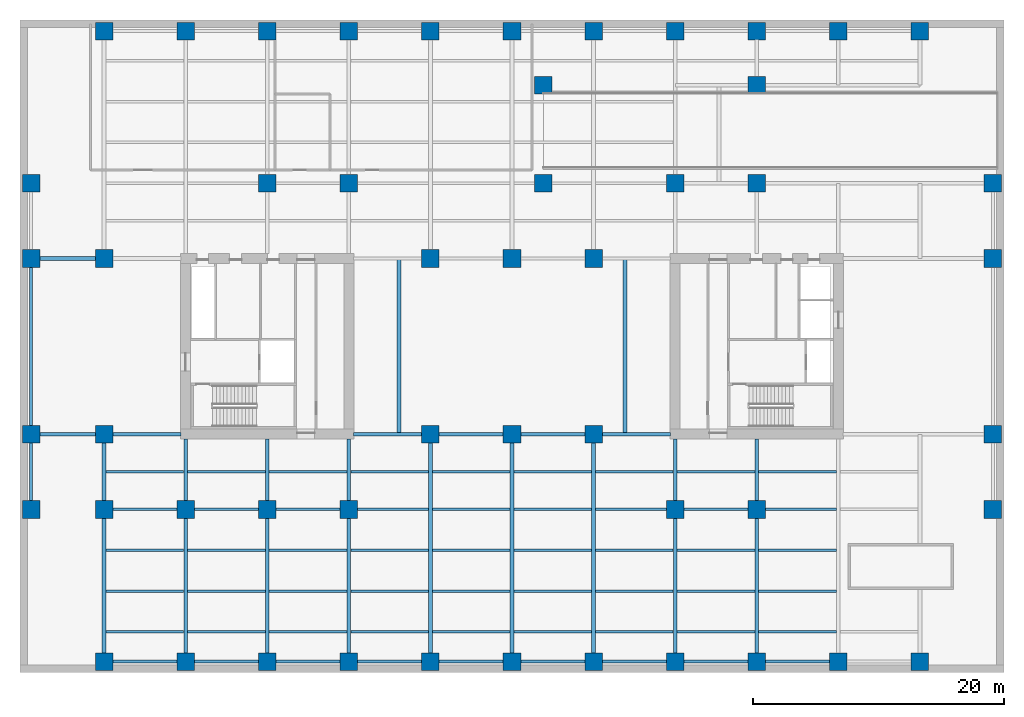
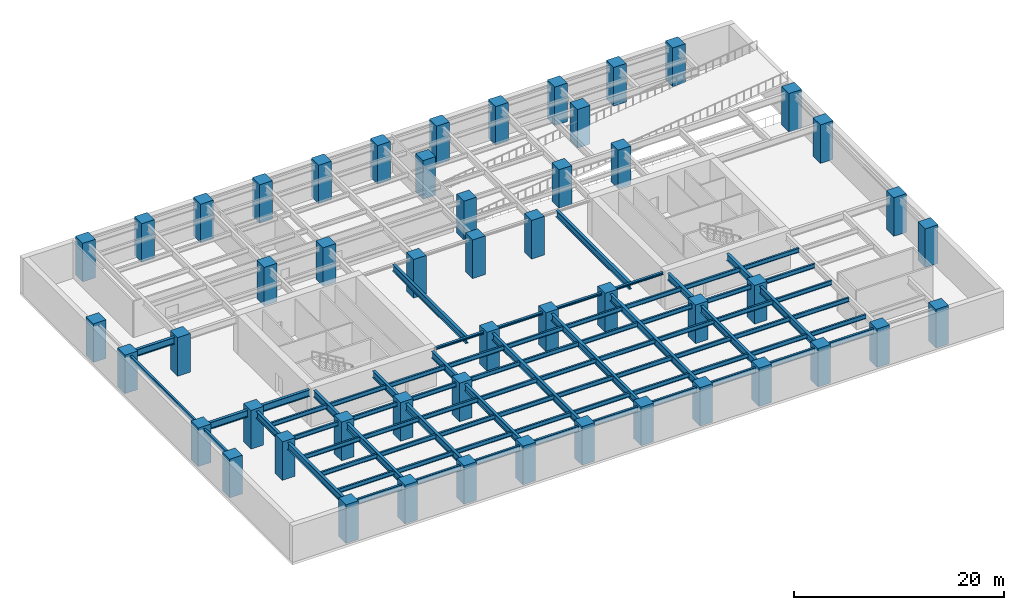
# One storey, part 1 of 10: 80 beams, 51 columns.
"""IFC4 building model written with IfcOpenShell, lengths in metres."""

import ifcopenshell
import ifcopenshell.guid

model = None  # the IFC model being written
_history = None  # IfcOwnerHistory: only IFC2X3 demands one
_inside = {}  # id of a spatial element -> (the spatial element, [elements in it])
_under = {}  # id of a project, library or spatial element -> (it, [spatial elements below it])
_declared = {}  # id of a project -> (the project, [libraries it declares])
_typed = {}  # id of a type object -> (the type object, [elements of that type])
_made_of = {}  # id of a material, layer set ... -> (it, [elements and type objects made of it])


def new_model(schema):
    """Start an empty IFC model of exactly this schema.

    Asked for "IFC4X3", IfcOpenShell would pick the latest addendum, in which some entities
    have other attributes; the version numbers below select the first issue.
    IFC2X3 requires an IfcOwnerHistory on every rooted entity: one is made here for all.
    """
    global model, _history
    if schema == "IFC4X3":
        model = ifcopenshell.file(schema_version=(4, 3, 0, 0))
    else:
        model = ifcopenshell.file(schema=schema)
    _inside.clear()
    _under.clear()
    _declared.clear()
    _typed.clear()
    _made_of.clear()
    _history = None
    if model.schema == "IFC2X3":
        org = make("IfcOrganization", Name="unknown")
        user = make(
            "IfcPersonAndOrganization",
            ThePerson=make("IfcPerson", FamilyName="unknown"),
            TheOrganization=org,
        )
        app = make(
            "IfcApplication",
            ApplicationDeveloper=org,
            Version="unknown",
            ApplicationFullName="unknown",
            ApplicationIdentifier="unknown",
        )
        _history = make(
            "IfcOwnerHistory",
            OwningUser=user,
            OwningApplication=app,
            ChangeAction="ADDED",
            CreationDate=0,
        )
    return model


def make(cls, **values):
    """One entity of the class cls with the attributes given. An attribute that is None is left unset."""
    return model.create_entity(
        cls, **{name: value for name, value in values.items() if value is not None}
    )


def rooted(cls, **values):
    """An entity with a GlobalId (a new one), such as an element, a storey or a relation."""
    return make(cls, GlobalId=ifcopenshell.guid.new(), OwnerHistory=_history, **values)


def si_unit(unit_type, name, prefix=None):
    """IfcSIUnit, for example si_unit("LENGTHUNIT", "METRE", prefix="MILLI")."""
    return make("IfcSIUnit", UnitType=unit_type, Prefix=prefix, Name=name)


def assignment(units):
    """IfcUnitAssignment: the units of a project."""
    return None if units is None else make("IfcUnitAssignment", Units=units)


def point(xyz):
    """IfcCartesianPoint."""
    return None if xyz is None else make("IfcCartesianPoint", Coordinates=xyz)


def direction(xyz):
    """IfcDirection."""
    return None if xyz is None else make("IfcDirection", DirectionRatios=xyz)


def frame(location, z_axis=None, x_axis=None):
    """IfcAxis2Placement3D, a coordinate frame: its origin and axes. An axis left out is left unset."""
    return make(
        "IfcAxis2Placement3D",
        Location=point(location),
        Axis=direction(z_axis),
        RefDirection=direction(x_axis),
    )


def frame_2d(location, x_axis=None):
    """IfcAxis2Placement2D, a coordinate frame in the plane: its origin and x axis."""
    return make(
        "IfcAxis2Placement2D", Location=point(location), RefDirection=direction(x_axis)
    )


def origin():
    """The frame at (0, 0, 0) with its axes left unset."""
    return frame((0.0, 0.0, 0.0))


def origin_2d():
    """The frame at (0, 0) in the plane with its x axis left unset."""
    return frame_2d((0.0, 0.0))


def place(relative_to, where):
    """IfcLocalPlacement: puts the frame where relative to a parent placement (None: the world)."""
    return make(
        "IfcLocalPlacement", PlacementRelTo=relative_to, RelativePlacement=where
    )


def context(
    kind, dimensions, precision=None, world=None, true_north=None, identifier=None
):
    """IfcGeometricRepresentationContext, for example the 3D "Model" context."""
    return make(
        "IfcGeometricRepresentationContext",
        ContextIdentifier=identifier,
        ContextType=kind,
        CoordinateSpaceDimension=dimensions,
        Precision=precision,
        WorldCoordinateSystem=world,
        TrueNorth=true_north,
    )


def subcontext(parent, identifier, kind, view, scale=None):
    """IfcGeometricRepresentationSubContext, for example "Body" below "Model"."""
    return make(
        "IfcGeometricRepresentationSubContext",
        ContextIdentifier=identifier,
        ContextType=kind,
        ParentContext=parent,
        TargetScale=scale,
        TargetView=view,
    )


def project(units=None, contexts=None):
    """IfcProject with its units and contexts."""
    return rooted(
        "IfcProject",
        Name="project",
        RepresentationContexts=contexts,
        UnitsInContext=assignment(units),
    )


def spatial(cls, under=None, at=None, **own):
    """A site, building, storey or space (cls), placed at a placement, below another one or the project."""
    s = rooted(cls, ObjectPlacement=at, **own)
    if under is not None:
        _under.setdefault(under.id(), (under, []))[1].append(s)
    return s


def profile(cls, at=None, kind="AREA", **sizes):
    """A parametric profile (cls). Its sizes go by their IFC names, for example OverallWidth=200.0."""
    return make(cls, ProfileType=kind, Position=at, **sizes)


def rectangle(**sizes):
    """IfcRectangleProfileDef."""
    return profile("IfcRectangleProfileDef", **sizes)


def i_section(**sizes):
    """IfcIShapeProfileDef."""
    return profile("IfcIShapeProfileDef", **sizes)


def extrude(swept, where, along, depth):
    """IfcExtrudedAreaSolid: the profile swept, set in the frame where, extruded along a direction by depth."""
    return make(
        "IfcExtrudedAreaSolid",
        SweptArea=swept,
        Position=where,
        ExtrudedDirection=direction(along),
        Depth=depth,
    )


def shape(context_of_items, identifier, shape_type, items):
    """IfcShapeRepresentation: the items that make up one representation, for example the "Body"."""
    return make(
        "IfcShapeRepresentation",
        ContextOfItems=context_of_items,
        RepresentationIdentifier=identifier,
        RepresentationType=shape_type,
        Items=items,
    )


def material(Name=None, Category=None):
    """IfcMaterial."""
    return make("IfcMaterial", Name=Name, Category=Category)


def material_profile(
    of_material, cross_section, Name=None, Category=None, Priority=None
):
    """IfcMaterialProfile: a cross section and its material."""
    return make(
        "IfcMaterialProfile",
        Name=Name,
        Material=of_material,
        Profile=cross_section,
        Priority=Priority,
        Category=Category,
    )


def profile_set(profiles, Name=None, composite=None):
    """IfcMaterialProfileSet."""
    return make(
        "IfcMaterialProfileSet",
        Name=Name,
        MaterialProfiles=profiles,
        CompositeProfile=composite,
    )


def made_of(thing, what):
    """Note that an element or type object is made of a material, layer set ...; save() writes the relation."""
    if what is not None:
        _made_of.setdefault(what.id(), (what, []))[1].append(thing)
    return thing


def type_object(cls, material=None, **own):
    """A type object (cls), such as IfcWallType, which elements share."""
    return made_of(rooted(cls, **own), material)


def element(
    cls,
    number,
    at=None,
    inside=None,
    cuts=None,
    type_object=None,
    material=None,
    context=None,
    identifier="Body",
    shape_type=None,
    held_by="IfcProductDefinitionShape",
    body=None,
    shapes=None,
    **own,
):
    """One element of the class cls, such as IfcWall. Its Tag is "e" and its number.

    at: its placement. inside: the storey or other place that contains it. cuts: it is an
    opening in that element (IfcRelVoidsElement). A single representation is given by context,
    identifier, shape_type and body (its items); several are given by shapes. held_by: the class
    of the entity that holds the representations. save() writes the other relations.
    """
    e = rooted(cls, Tag="e%d" % number, ObjectPlacement=at, **own)
    if body is not None:
        shapes = [shape(context, identifier, shape_type, body)]
    if shapes is not None:
        e.Representation = make(held_by, Representations=shapes)
    if inside is not None:
        _inside.setdefault(inside.id(), (inside, []))[1].append(e)
    if cuts is not None:
        rooted(
            "IfcRelVoidsElement", RelatingBuildingElement=cuts, RelatedOpeningElement=e
        )
    if type_object is not None:
        _typed.setdefault(type_object.id(), (type_object, []))[1].append(e)
    return made_of(e, material)


def aggregate(whole, parts):
    """IfcRelAggregates: a whole, such as a stair, and the parts it consists of."""
    return rooted("IfcRelAggregates", RelatingObject=whole, RelatedObjects=parts)


def save(model, path):
    """Write the relations noted so far, then the file.

    IfcRelAggregates (storeys below a building ...), IfcRelContainedInSpatialStructure (elements
    in a storey), IfcRelDefinesByType, IfcRelAssociatesMaterial and IfcRelDeclares: one each for
    every whole, place, type object, material and project.
    """
    for whole, parts in _under.values():
        aggregate(whole, parts)
    for where, things in _inside.values():
        rooted(
            "IfcRelContainedInSpatialStructure",
            RelatedElements=things,
            RelatingStructure=where,
        )
    for kind, things in _typed.values():
        rooted("IfcRelDefinesByType", RelatedObjects=things, RelatingType=kind)
    for what, things in _made_of.values():
        rooted("IfcRelAssociatesMaterial", RelatedObjects=things, RelatingMaterial=what)
    for by, libraries in _declared.values():
        rooted("IfcRelDeclares", RelatingContext=by, RelatedDefinitions=libraries)
    model.write(path)


model = new_model("IFC4")

# Units and contexts
model_context = context("Model", 3, precision=1e-05, world=origin(), true_north=direction((0.0, 1.0)))
body_context = subcontext(model_context, "Body", "Model", "MODEL_VIEW")
ifc_project = project(units=[si_unit("LENGTHUNIT", "METRE"), si_unit("AREAUNIT", "SQUARE_METRE"), si_unit("VOLUMEUNIT", "CUBIC_METRE"), si_unit("PLANEANGLEUNIT", "RADIAN"), si_unit("MASSUNIT", "GRAM", prefix="KILO")], contexts=[model_context])

# Site, building, storey
site_placement = place(None, origin())
site = spatial("IfcSite", under=ifc_project, at=site_placement, CompositionType="ELEMENT")
building_placement = place(site_placement, origin())
building = spatial("IfcBuilding", under=site, at=building_placement, Name="Putna Gate Headquarters", CompositionType="ELEMENT")
storey_placement = place(building_placement, frame((0.0, 0.0, -4.5)))
storey = spatial("IfcBuildingStorey", under=building, at=storey_placement, Name="B01", CompositionType="ELEMENT", Elevation=-4.5)

# Columns
ifc_material_1 = material(Name="Concrete C60/75", Category="concrete")
ifc_material_profile_1 = material_profile(ifc_material_1, rectangle(XDim=1.39990234375, YDim=1.39990234375, at=origin_2d()), Name="Concrete C60/75")
ifc_profile_set_1 = profile_set([ifc_material_profile_1], Name="Concrete C60/75")
column_type = type_object("IfcColumnType", Name="COL-RC1400-INT", PredefinedType="COLUMN", material=ifc_profile_set_1)
for number, where, z_axis, x_axis, name in (
    (1, (19.5, 39.0, 0.0), (0.0, 0.0, 1.0), (1.0, 0.0, 0.0), "B01 Column CSI-WN"),
    (2, (58.5, 13.0, 0.0), (0.0, 0.0, 1.0), (1.0, 0.0, 0.0), "B01 Column CSI-ES"),
    (3, (58.5, 39.0, 0.0), (0.0, 0.0, 1.0), (1.0, 0.0, 0.0), "B01 Column CSI-EN"),
    (4, (6.5, 19.0, 0.0), (0.0, 0.0, 1.0), (1.0, 0.0, 0.0), "B01 Column CSI-WM"),
    (5, (6.5, 33.0, 0.0), (0.0, 0.0, 1.0), (1.0, 0.0, 0.0), "B01 Column CSI-WNW"),
    (6, (6.5, 13.0, 0.0), (0.0, 0.0, 1.0), (1.0, 0.0, 0.0), "B01 Column CSI-WS"),
    (7, (13.0, 13.0, 0.0), (0.0, 0.0, 1.0), (1.0, 0.0, 0.0), "B01 Column CSI-WS13"),
    (8, (19.5, 13.0, 0.0), (0.0, 0.0, 1.0), (1.0, 0.0, 0.0), "B01 Column CSI-WS19"),
    (9, (32.5, 19.0, 0.0), (0.0, 0.0, 1.0), (1.0, 0.0, 0.0), "B01 Column CAI-S32"),
    (10, (32.5, 33.0, 0.0), (0.0, 0.0, 1.0), (1.0, 0.0, 0.0), "B01 Column CAI-N32"),
    (11, (39.0, 19.0, 0.0), (0.0, 0.0, 1.0), (1.0, 0.0, 0.0), "B01 Column CAI-S39"),
    (12, (39.0, 33.0, 0.0), (0.0, 0.0, 1.0), (1.0, 0.0, 0.0), "B01 Column CAI-N39"),
    (13, (45.5, 19.0, 0.0), (0.0, 0.0, 1.0), (1.0, 0.0, 0.0), "B01 Column CAI-S45"),
    (14, (45.5, 33.0, 0.0), (0.0, 0.0, 1.0), (1.0, 0.0, 0.0), "B01 Column CAI-N45"),
    (15, (41.5, 39.0, 0.0), (0.0, 0.0, 1.0), (1.0, 0.0, 0.0), "B01 Column CRMP-SW"),
    (16, (41.5, 46.800048828125, 0.0), (0.0, 0.0, 1.0), (1.0, 0.0, 0.0), "B01 Column CRMP-NW"),
    (17, (58.5, 46.800048828125, 0.0), (0.0, 0.0, 1.0), (1.0, 0.0, 0.0), "B01 Column CRMP-NM"),
    (18, (26.0, 13.0, 0.0), (0.0, 0.0, 1.0), (1.0, 0.0, 0.0), "B01 Column CAP-WS"),
    (19, (26.0, 39.0, 0.0), (0.0, 0.0, 1.0), (1.0, 0.0, 0.0), "B01 Column CAP-WN"),
    (20, (52.0, 13.0, 0.0), (0.0, 0.0, 1.0), (1.0, 0.0, 0.0), "B01 Column CAP-ES"),
    (21, (52.0, 39.0, 0.0), (0.0, 0.0, 1.0), (1.0, 0.0, 0.0), "B01 Column CAP-EN"),
    (22, (6.5, 0.8798828125, 0.0), (0.0, 0.0, 1.0), (1.0, 0.0, 0.0), "B01 Column CP-S6"),
    (23, (6.5, 51.1201171875, 0.0), (0.0, 0.0, 1.0), (1.0, 0.0, 0.0), "B01 Column CP-N6"),
    (24, (13.0, 0.8798828125, 0.0), (0.0, 0.0, 1.0), (1.0, 0.0, 0.0), "B01 Column CP-S13"),
    (25, (13.0, 51.1201171875, 0.0), (0.0, 0.0, 1.0), (1.0, 0.0, 0.0), "B01 Column CP-N13"),
    (26, (19.5, 0.8798828125, 0.0), (0.0, 0.0, 1.0), (1.0, 0.0, 0.0), "B01 Column CP-S19"),
    (27, (19.5, 51.1201171875, 0.0), (0.0, 0.0, 1.0), (1.0, 0.0, 0.0), "B01 Column CP-N19"),
    (28, (26.0, 0.8798828125, 0.0), (0.0, 0.0, 1.0), (1.0, 0.0, 0.0), "B01 Column CP-S26"),
    (29, (26.0, 51.1201171875, 0.0), (0.0, 0.0, 1.0), (1.0, 0.0, 0.0), "B01 Column CP-N26"),
    (30, (32.5, 0.8798828125, 0.0), (0.0, 0.0, 1.0), (1.0, 0.0, 0.0), "B01 Column CP-S32"),
    (31, (32.5, 51.1201171875, 0.0), (0.0, 0.0, 1.0), (1.0, 0.0, 0.0), "B01 Column CP-N32"),
    (32, (39.0, 0.8798828125, 0.0), (0.0, 0.0, 1.0), (1.0, 0.0, 0.0), "B01 Column CP-S39"),
    (33, (39.0, 51.1201171875, 0.0), (0.0, 0.0, 1.0), (1.0, 0.0, 0.0), "B01 Column CP-N39"),
    (34, (45.5, 0.8798828125, 0.0), (0.0, 0.0, 1.0), (1.0, 0.0, 0.0), "B01 Column CP-S45"),
    (35, (45.5, 51.1201171875, 0.0), (0.0, 0.0, 1.0), (1.0, 0.0, 0.0), "B01 Column CP-N45"),
    (36, (52.0, 0.8798828125, 0.0), (0.0, 0.0, 1.0), (1.0, 0.0, 0.0), "B01 Column CP-S52"),
    (37, (52.0, 51.1201171875, 0.0), (0.0, 0.0, 1.0), (1.0, 0.0, 0.0), "B01 Column CP-N52"),
    (38, (58.5, 0.8798828125, 0.0), (0.0, 0.0, 1.0), (1.0, 0.0, 0.0), "B01 Column CP-S58"),
    (39, (58.5, 51.1201171875, 0.0), (0.0, 0.0, 1.0), (1.0, 0.0, 0.0), "B01 Column CP-N58"),
    (40, (65.0, 0.8798828125, 0.0), (0.0, 0.0, 1.0), (1.0, 0.0, 0.0), "B01 Column CP-S65"),
    (41, (65.0, 51.1201171875, 0.0), (0.0, 0.0, 1.0), (1.0, 0.0, 0.0), "B01 Column CP-N65"),
    (42, (71.5, 0.8798828125, 0.0), (0.0, 0.0, 1.0), (1.0, 0.0, 0.0), "B01 Column CP-S71"),
    (43, (71.5, 51.1201171875, 0.0), (0.0, 0.0, 1.0), (1.0, 0.0, 0.0), "B01 Column CP-N71"),
    (44, (0.679931640625, 13.0, 0.0), (0.0, 0.0, 1.0), (1.0, 0.0, 0.0), "B01 Column CP-W13"),
    (45, (77.320068359375, 13.0, 0.0), (0.0, 0.0, 1.0), (1.0, 0.0, 0.0), "B01 Column CP-E13"),
    (46, (0.679931640625, 19.0, 0.0), (0.0, 0.0, 1.0), (1.0, 0.0, 0.0), "B01 Column CP-W19"),
    (47, (77.320068359375, 19.0, 0.0), (0.0, 0.0, 1.0), (1.0, 0.0, 0.0), "B01 Column CP-E19"),
    (48, (0.679931640625, 33.0, 0.0), (0.0, 0.0, 1.0), (1.0, 0.0, 0.0), "B01 Column CP-W33"),
    (49, (77.320068359375, 33.0, 0.0), (0.0, 0.0, 1.0), (1.0, 0.0, 0.0), "B01 Column CP-E33"),
    (50, (0.679931640625, 39.0, 0.0), (0.0, 0.0, 1.0), (1.0, 0.0, 0.0), "B01 Column CP-W39"),
    (51, (77.320068359375, 39.0, 0.0), (0.0, 0.0, 1.0), (1.0, 0.0, 0.0), "B01 Column CP-E39"),
):
    element("IfcColumn", number, at=place(storey_placement, frame(where, z_axis=z_axis, x_axis=x_axis)), inside=storey, type_object=column_type, Name=name, PredefinedType="COLUMN", context=body_context, shape_type="SweptSolid", body=[
        extrude(rectangle(XDim=1.39990234375, YDim=1.39990234375, at=origin_2d()), origin(), (0.0, 0.0, 1.0), 4.5),
    ])

# Beams
ifc_material_2 = material(Name="Steel S355J2", Category="steel")
ifc_material_profile_2 = material_profile(ifc_material_2, i_section(OverallWidth=0.260009765625, OverallDepth=0.260009765625, WebThickness=0.010009765625, FlangeThickness=0.017578125, at=origin_2d()), Name="Steel S355J2")
ifc_profile_set_2 = profile_set([ifc_material_profile_2], Name="Steel S355J2")
beam_type_1 = type_object("IfcBeamType", Name="BM-ATRIUM-HEB260", PredefinedType="BEAM", material=ifc_profile_set_2)
beam_1_placement = place(storey_placement, frame((26.385009765625, 19.0, 4.090087890625), z_axis=(1.0, 0.0, 0.0), x_axis=(0.0, 1.0, 0.0)))
element("IfcBeam", 52, at=beam_1_placement, inside=storey, type_object=beam_type_1, Name="B01 Atrium Edge Beam AS1", PredefinedType="BEAM", context=body_context, shape_type="SweptSolid", body=[
    extrude(i_section(OverallWidth=0.260009765625, OverallDepth=0.260009765625, WebThickness=0.010009765625, FlangeThickness=0.017578125, at=origin_2d()), origin(), (0.0, 0.0, 1.0), 5.427001953125),
])
for number, where, z_axis, x_axis, name in (
    (53, (33.18798828125, 19.0, 4.090087890625), (1.0, 0.0, 0.0), (0.0, 1.0, 0.0), "B01 Atrium Edge Beam AS2"),
    (54, (39.68798828125, 19.0, 4.090087890625), (1.0, 0.0, 0.0), (0.0, 1.0, 0.0), "B01 Atrium Edge Beam AS3"),
):
    element("IfcBeam", number, at=place(storey_placement, frame(where, z_axis=z_axis, x_axis=x_axis)), inside=storey, type_object=beam_type_1, Name=name, PredefinedType="BEAM", context=body_context, shape_type="SweptSolid", body=[
        extrude(i_section(OverallWidth=0.260009765625, OverallDepth=0.260009765625, WebThickness=0.010009765625, FlangeThickness=0.017578125, at=origin_2d()), origin(), (0.0, 0.0, 1.0), 5.1240234375),
    ])
beam_2_placement = place(storey_placement, frame((46.18798828125, 19.0, 4.090087890625), z_axis=(1.0, 0.0, 0.0), x_axis=(0.0, 1.0, 0.0)))
element("IfcBeam", 55, at=beam_2_placement, inside=storey, type_object=beam_type_1, Name="B01 Atrium Edge Beam AS4", PredefinedType="BEAM", context=body_context, shape_type="SweptSolid", body=[
    extrude(i_section(OverallWidth=0.260009765625, OverallDepth=0.260009765625, WebThickness=0.010009765625, FlangeThickness=0.017578125, at=origin_2d()), origin(), (0.0, 0.0, 1.0), 5.427001953125),
])
ifc_material_profile_3 = material_profile(ifc_material_2, i_section(OverallWidth=0.300048828125, OverallDepth=0.800048828125, WebThickness=0.017578125, FlangeThickness=0.032958984375, at=origin_2d()), Name="Steel S355J2")
ifc_profile_set_3 = profile_set([ifc_material_profile_3], Name="Steel S355J2")
beam_type_2 = type_object("IfcBeamType", Name="BM-GIRD-P-HEB800", PredefinedType="USERDEFINED", material=ifc_profile_set_3)
beam_3_placement = place(storey_placement, frame((1.367919921875, 19.0, 3.820068359375), z_axis=(1.0, 0.0, 0.0), x_axis=(0.0, 1.0, 0.0)))
element("IfcBeam", 56, at=beam_3_placement, inside=storey, type_object=beam_type_2, Name="B01 West Wing Girder Y19-1", ObjectType="GIRDER", PredefinedType="USERDEFINED", context=body_context, shape_type="SweptSolid", body=[
    extrude(i_section(OverallWidth=0.300048828125, OverallDepth=0.800048828125, WebThickness=0.017578125, FlangeThickness=0.032958984375, at=origin_2d()), origin(), (0.0, 0.0, 1.0), 4.444091796875),
])
beam_4_placement = place(storey_placement, frame((7.18798828125, 19.0, 3.820068359375), z_axis=(1.0, 0.0, 0.0), x_axis=(0.0, 1.0, 0.0)))
element("IfcBeam", 57, at=beam_4_placement, inside=storey, type_object=beam_type_2, Name="B01 West Wing Girder Y19-2", ObjectType="GIRDER", PredefinedType="USERDEFINED", context=body_context, shape_type="SweptSolid", body=[
    extrude(i_section(OverallWidth=0.300048828125, OverallDepth=0.800048828125, WebThickness=0.017578125, FlangeThickness=0.032958984375, at=origin_2d()), origin(), (0.0, 0.0, 1.0), 5.427001953125),
])
beam_5_placement = place(storey_placement, frame((1.367919921875, 33.0, 3.820068359375), z_axis=(1.0, 0.0, 0.0), x_axis=(0.0, 1.0, 0.0)))
element("IfcBeam", 58, at=beam_5_placement, inside=storey, type_object=beam_type_2, Name="B01 West Wing Girder Y33-1", ObjectType="GIRDER", PredefinedType="USERDEFINED", context=body_context, shape_type="SweptSolid", body=[
    extrude(i_section(OverallWidth=0.300048828125, OverallDepth=0.800048828125, WebThickness=0.017578125, FlangeThickness=0.032958984375, at=origin_2d()), origin(), (0.0, 0.0, 1.0), 4.444091796875),
])
beam_6_placement = place(storey_placement, frame((6.5, 1.568115234375, 3.820068359375), z_axis=(0.0, 1.0, 0.0), x_axis=(-1.0, 0.0, 0.0)))
element("IfcBeam", 59, at=beam_6_placement, inside=storey, type_object=beam_type_2, Name="B01 South Primary Girder X6-1", ObjectType="GIRDER", PredefinedType="USERDEFINED", context=body_context, shape_type="SweptSolid", body=[
    extrude(i_section(OverallWidth=0.300048828125, OverallDepth=0.800048828125, WebThickness=0.017578125, FlangeThickness=0.032958984375, at=origin_2d()), origin(), (0.0, 0.0, 1.0), 10.743896484375),
])
beam_7_placement = place(storey_placement, frame((6.5, 13.68798828125, 3.820068359375), z_axis=(0.0, 1.0, 0.0), x_axis=(-1.0, 0.0, 0.0)))
element("IfcBeam", 60, at=beam_7_placement, inside=storey, type_object=beam_type_2, Name="B01 South Primary Girder X6-2", ObjectType="GIRDER", PredefinedType="USERDEFINED", context=body_context, shape_type="SweptSolid", body=[
    extrude(i_section(OverallWidth=0.300048828125, OverallDepth=0.800048828125, WebThickness=0.017578125, FlangeThickness=0.032958984375, at=origin_2d()), origin(), (0.0, 0.0, 1.0), 4.6240234375),
])
beam_8_placement = place(storey_placement, frame((13.0, 1.568115234375, 3.820068359375), z_axis=(0.0, 1.0, 0.0), x_axis=(-1.0, 0.0, 0.0)))
element("IfcBeam", 61, at=beam_8_placement, inside=storey, type_object=beam_type_2, Name="B01 South Primary Girder X13-1", ObjectType="GIRDER", PredefinedType="USERDEFINED", context=body_context, shape_type="SweptSolid", body=[
    extrude(i_section(OverallWidth=0.300048828125, OverallDepth=0.800048828125, WebThickness=0.017578125, FlangeThickness=0.032958984375, at=origin_2d()), origin(), (0.0, 0.0, 1.0), 10.743896484375),
])
beam_9_placement = place(storey_placement, frame((13.0, 13.68798828125, 3.820068359375), z_axis=(0.0, 1.0, 0.0), x_axis=(-1.0, 0.0, 0.0)))
element("IfcBeam", 62, at=beam_9_placement, inside=storey, type_object=beam_type_2, Name="B01 South Primary Girder X13-2", ObjectType="GIRDER", PredefinedType="USERDEFINED", context=body_context, shape_type="SweptSolid", body=[
    extrude(i_section(OverallWidth=0.300048828125, OverallDepth=0.800048828125, WebThickness=0.017578125, FlangeThickness=0.032958984375, at=origin_2d()), origin(), (0.0, 0.0, 1.0), 4.927001953125),
])
beam_10_placement = place(storey_placement, frame((19.5, 1.568115234375, 3.820068359375), z_axis=(0.0, 1.0, 0.0), x_axis=(-1.0, 0.0, 0.0)))
element("IfcBeam", 63, at=beam_10_placement, inside=storey, type_object=beam_type_2, Name="B01 South Primary Girder X19-1", ObjectType="GIRDER", PredefinedType="USERDEFINED", context=body_context, shape_type="SweptSolid", body=[
    extrude(i_section(OverallWidth=0.300048828125, OverallDepth=0.800048828125, WebThickness=0.017578125, FlangeThickness=0.032958984375, at=origin_2d()), origin(), (0.0, 0.0, 1.0), 10.743896484375),
])
beam_11_placement = place(storey_placement, frame((19.5, 13.68798828125, 3.820068359375), z_axis=(0.0, 1.0, 0.0), x_axis=(-1.0, 0.0, 0.0)))
element("IfcBeam", 64, at=beam_11_placement, inside=storey, type_object=beam_type_2, Name="B01 South Primary Girder X19-2", ObjectType="GIRDER", PredefinedType="USERDEFINED", context=body_context, shape_type="SweptSolid", body=[
    extrude(i_section(OverallWidth=0.300048828125, OverallDepth=0.800048828125, WebThickness=0.017578125, FlangeThickness=0.032958984375, at=origin_2d()), origin(), (0.0, 0.0, 1.0), 4.927001953125),
])
beam_12_placement = place(storey_placement, frame((26.0, 1.568115234375, 3.820068359375), z_axis=(0.0, 1.0, 0.0), x_axis=(-1.0, 0.0, 0.0)))
element("IfcBeam", 65, at=beam_12_placement, inside=storey, type_object=beam_type_2, Name="B01 South Primary Girder X26-1", ObjectType="GIRDER", PredefinedType="USERDEFINED", context=body_context, shape_type="SweptSolid", body=[
    extrude(i_section(OverallWidth=0.300048828125, OverallDepth=0.800048828125, WebThickness=0.017578125, FlangeThickness=0.032958984375, at=origin_2d()), origin(), (0.0, 0.0, 1.0), 10.743896484375),
])
beam_13_placement = place(storey_placement, frame((26.0, 13.68798828125, 3.820068359375), z_axis=(0.0, 1.0, 0.0), x_axis=(-1.0, 0.0, 0.0)))
element("IfcBeam", 66, at=beam_13_placement, inside=storey, type_object=beam_type_2, Name="B01 South Primary Girder X26-2", ObjectType="GIRDER", PredefinedType="USERDEFINED", context=body_context, shape_type="SweptSolid", body=[
    extrude(i_section(OverallWidth=0.300048828125, OverallDepth=0.800048828125, WebThickness=0.017578125, FlangeThickness=0.032958984375, at=origin_2d()), origin(), (0.0, 0.0, 1.0), 4.927001953125),
])
for number, where, z_axis, x_axis, name in (
    (67, (32.5, 1.568115234375, 3.820068359375), (0.0, 1.0, 0.0), (-1.0, 0.0, 0.0), "B01 South Primary Girder X32"),
    (68, (39.0, 1.568115234375, 3.820068359375), (0.0, 1.0, 0.0), (-1.0, 0.0, 0.0), "B01 South Primary Girder X39"),
    (69, (45.5, 1.568115234375, 3.820068359375), (0.0, 1.0, 0.0), (-1.0, 0.0, 0.0), "B01 South Primary Girder X45"),
):
    element("IfcBeam", number, at=place(storey_placement, frame(where, z_axis=z_axis, x_axis=x_axis)), inside=storey, type_object=beam_type_2, Name=name, ObjectType="GIRDER", PredefinedType="USERDEFINED", context=body_context, shape_type="SweptSolid", body=[
        extrude(i_section(OverallWidth=0.300048828125, OverallDepth=0.800048828125, WebThickness=0.017578125, FlangeThickness=0.032958984375, at=origin_2d()), origin(), (0.0, 0.0, 1.0), 16.743896484375),
    ])
beam_14_placement = place(storey_placement, frame((52.0, 1.568115234375, 3.820068359375), z_axis=(0.0, 1.0, 0.0), x_axis=(-1.0, 0.0, 0.0)))
element("IfcBeam", 70, at=beam_14_placement, inside=storey, type_object=beam_type_2, Name="B01 South Primary Girder X52-1", ObjectType="GIRDER", PredefinedType="USERDEFINED", context=body_context, shape_type="SweptSolid", body=[
    extrude(i_section(OverallWidth=0.300048828125, OverallDepth=0.800048828125, WebThickness=0.017578125, FlangeThickness=0.032958984375, at=origin_2d()), origin(), (0.0, 0.0, 1.0), 10.743896484375),
])
beam_15_placement = place(storey_placement, frame((52.0, 13.68798828125, 3.820068359375), z_axis=(0.0, 1.0, 0.0), x_axis=(-1.0, 0.0, 0.0)))
element("IfcBeam", 71, at=beam_15_placement, inside=storey, type_object=beam_type_2, Name="B01 South Primary Girder X52-2", ObjectType="GIRDER", PredefinedType="USERDEFINED", context=body_context, shape_type="SweptSolid", body=[
    extrude(i_section(OverallWidth=0.300048828125, OverallDepth=0.800048828125, WebThickness=0.017578125, FlangeThickness=0.032958984375, at=origin_2d()), origin(), (0.0, 0.0, 1.0), 4.927001953125),
])
beam_16_placement = place(storey_placement, frame((58.5, 1.568115234375, 3.820068359375), z_axis=(0.0, 1.0, 0.0), x_axis=(-1.0, 0.0, 0.0)))
element("IfcBeam", 72, at=beam_16_placement, inside=storey, type_object=beam_type_2, Name="B01 South Primary Girder X58-1", ObjectType="GIRDER", PredefinedType="USERDEFINED", context=body_context, shape_type="SweptSolid", body=[
    extrude(i_section(OverallWidth=0.300048828125, OverallDepth=0.800048828125, WebThickness=0.017578125, FlangeThickness=0.032958984375, at=origin_2d()), origin(), (0.0, 0.0, 1.0), 10.743896484375),
])
beam_17_placement = place(storey_placement, frame((58.5, 13.68798828125, 3.820068359375), z_axis=(0.0, 1.0, 0.0), x_axis=(-1.0, 0.0, 0.0)))
element("IfcBeam", 73, at=beam_17_placement, inside=storey, type_object=beam_type_2, Name="B01 South Primary Girder X58-2", ObjectType="GIRDER", PredefinedType="USERDEFINED", context=body_context, shape_type="SweptSolid", body=[
    extrude(i_section(OverallWidth=0.300048828125, OverallDepth=0.800048828125, WebThickness=0.017578125, FlangeThickness=0.032958984375, at=origin_2d()), origin(), (0.0, 0.0, 1.0), 4.927001953125),
])
for number, where, z_axis, x_axis, name in (
    (74, (30.0, 19.010009765625, 3.820068359375), (0.0, 1.0, 0.0), (-1.0, 0.0, 0.0), "B01 Atrium Trim Girder AW"),
    (75, (48.0, 19.010009765625, 3.820068359375), (0.0, 1.0, 0.0), (-1.0, 0.0, 0.0), "B01 Atrium Trim Girder AE"),
):
    element("IfcBeam", number, at=place(storey_placement, frame(where, z_axis=z_axis, x_axis=x_axis)), inside=storey, type_object=beam_type_2, Name=name, ObjectType="GIRDER", PredefinedType="USERDEFINED", context=body_context, shape_type="SweptSolid", body=[
        extrude(i_section(OverallWidth=0.300048828125, OverallDepth=0.800048828125, WebThickness=0.017578125, FlangeThickness=0.032958984375, at=origin_2d()), origin(), (0.0, 0.0, 1.0), 13.97998046875),
    ])
ifc_material_profile_4 = material_profile(ifc_material_2, i_section(OverallWidth=0.199951171875, OverallDepth=0.5, WebThickness=0.01025390625, FlangeThickness=0.01611328125, at=origin_2d()), Name="Steel S355J2")
ifc_profile_set_4 = profile_set([ifc_material_profile_4], Name="Steel S355J2")
beam_type_3 = type_object("IfcBeamType", Name="BM-SEC-P-IPE500", PredefinedType="BEAM", material=ifc_profile_set_4)
for number, where, z_axis, x_axis, name in (
    (76, (6.654052734375, 3.25, 3.969970703125), (1.0, 0.0, 0.0), (0.0, 1.0, 0.0), "B01 South Secondary Beam 1"),
    (77, (6.654052734375, 6.5, 3.969970703125), (1.0, 0.0, 0.0), (0.0, 1.0, 0.0), "B01 South Secondary Beam 1"),
    (78, (6.654052734375, 9.75, 3.969970703125), (1.0, 0.0, 0.0), (0.0, 1.0, 0.0), "B01 South Secondary Beam 1"),
):
    element("IfcBeam", number, at=place(storey_placement, frame(where, z_axis=z_axis, x_axis=x_axis)), inside=storey, type_object=beam_type_3, Name=name, PredefinedType="BEAM", context=body_context, shape_type="SweptSolid", body=[
        extrude(i_section(OverallWidth=0.199951171875, OverallDepth=0.5, WebThickness=0.01025390625, FlangeThickness=0.01611328125, at=origin_2d()), origin(), (0.0, 0.0, 1.0), 6.19189453125),
    ])
beam_18_placement = place(storey_placement, frame((7.18798828125, 13.0, 3.969970703125), z_axis=(1.0, 0.0, 0.0), x_axis=(0.0, 1.0, 0.0)))
element("IfcBeam", 79, at=beam_18_placement, inside=storey, type_object=beam_type_3, Name="B01 South Secondary Beam 1", PredefinedType="BEAM", context=body_context, shape_type="SweptSolid", body=[
    extrude(i_section(OverallWidth=0.199951171875, OverallDepth=0.5, WebThickness=0.01025390625, FlangeThickness=0.01611328125, at=origin_2d()), origin(), (0.0, 0.0, 1.0), 5.1240234375),
])
for number, where, z_axis, x_axis, name in (
    (80, (6.654052734375, 16.0, 3.969970703125), (1.0, 0.0, 0.0), (0.0, 1.0, 0.0), "B01 South Secondary Beam 1"),
    (81, (13.154052734375, 3.25, 3.969970703125), (1.0, 0.0, 0.0), (0.0, 1.0, 0.0), "B01 South Secondary Beam 2"),
    (82, (13.154052734375, 6.5, 3.969970703125), (1.0, 0.0, 0.0), (0.0, 1.0, 0.0), "B01 South Secondary Beam 2"),
    (83, (13.154052734375, 9.75, 3.969970703125), (1.0, 0.0, 0.0), (0.0, 1.0, 0.0), "B01 South Secondary Beam 2"),
):
    element("IfcBeam", number, at=place(storey_placement, frame(where, z_axis=z_axis, x_axis=x_axis)), inside=storey, type_object=beam_type_3, Name=name, PredefinedType="BEAM", context=body_context, shape_type="SweptSolid", body=[
        extrude(i_section(OverallWidth=0.199951171875, OverallDepth=0.5, WebThickness=0.01025390625, FlangeThickness=0.01611328125, at=origin_2d()), origin(), (0.0, 0.0, 1.0), 6.19189453125),
    ])
beam_19_placement = place(storey_placement, frame((13.68798828125, 13.0, 3.969970703125), z_axis=(1.0, 0.0, 0.0), x_axis=(0.0, 1.0, 0.0)))
element("IfcBeam", 84, at=beam_19_placement, inside=storey, type_object=beam_type_3, Name="B01 South Secondary Beam 2", PredefinedType="BEAM", context=body_context, shape_type="SweptSolid", body=[
    extrude(i_section(OverallWidth=0.199951171875, OverallDepth=0.5, WebThickness=0.01025390625, FlangeThickness=0.01611328125, at=origin_2d()), origin(), (0.0, 0.0, 1.0), 5.1240234375),
])
for number, where, z_axis, x_axis, name in (
    (85, (13.154052734375, 16.0, 3.969970703125), (1.0, 0.0, 0.0), (0.0, 1.0, 0.0), "B01 South Secondary Beam 2"),
    (86, (19.654052734375, 3.25, 3.969970703125), (1.0, 0.0, 0.0), (0.0, 1.0, 0.0), "B01 South Secondary Beam 3"),
    (87, (19.654052734375, 6.5, 3.969970703125), (1.0, 0.0, 0.0), (0.0, 1.0, 0.0), "B01 South Secondary Beam 3"),
    (88, (19.654052734375, 9.75, 3.969970703125), (1.0, 0.0, 0.0), (0.0, 1.0, 0.0), "B01 South Secondary Beam 3"),
):
    element("IfcBeam", number, at=place(storey_placement, frame(where, z_axis=z_axis, x_axis=x_axis)), inside=storey, type_object=beam_type_3, Name=name, PredefinedType="BEAM", context=body_context, shape_type="SweptSolid", body=[
        extrude(i_section(OverallWidth=0.199951171875, OverallDepth=0.5, WebThickness=0.01025390625, FlangeThickness=0.01611328125, at=origin_2d()), origin(), (0.0, 0.0, 1.0), 6.19189453125),
    ])
beam_20_placement = place(storey_placement, frame((20.18798828125, 13.0, 3.969970703125), z_axis=(1.0, 0.0, 0.0), x_axis=(0.0, 1.0, 0.0)))
element("IfcBeam", 89, at=beam_20_placement, inside=storey, type_object=beam_type_3, Name="B01 South Secondary Beam 3", PredefinedType="BEAM", context=body_context, shape_type="SweptSolid", body=[
    extrude(i_section(OverallWidth=0.199951171875, OverallDepth=0.5, WebThickness=0.01025390625, FlangeThickness=0.01611328125, at=origin_2d()), origin(), (0.0, 0.0, 1.0), 5.1240234375),
])
for number, where, z_axis, x_axis, name in (
    (90, (19.654052734375, 16.0, 3.969970703125), (1.0, 0.0, 0.0), (0.0, 1.0, 0.0), "B01 South Secondary Beam 3"),
    (91, (26.154052734375, 3.25, 3.969970703125), (1.0, 0.0, 0.0), (0.0, 1.0, 0.0), "B01 South Secondary Beam 4"),
    (92, (26.154052734375, 6.5, 3.969970703125), (1.0, 0.0, 0.0), (0.0, 1.0, 0.0), "B01 South Secondary Beam 4"),
    (93, (26.154052734375, 9.75, 3.969970703125), (1.0, 0.0, 0.0), (0.0, 1.0, 0.0), "B01 South Secondary Beam 4"),
):
    element("IfcBeam", number, at=place(storey_placement, frame(where, z_axis=z_axis, x_axis=x_axis)), inside=storey, type_object=beam_type_3, Name=name, PredefinedType="BEAM", context=body_context, shape_type="SweptSolid", body=[
        extrude(i_section(OverallWidth=0.199951171875, OverallDepth=0.5, WebThickness=0.01025390625, FlangeThickness=0.01611328125, at=origin_2d()), origin(), (0.0, 0.0, 1.0), 6.19189453125),
    ])
beam_21_placement = place(storey_placement, frame((26.68798828125, 13.0, 3.969970703125), z_axis=(1.0, 0.0, 0.0), x_axis=(0.0, 1.0, 0.0)))
element("IfcBeam", 94, at=beam_21_placement, inside=storey, type_object=beam_type_3, Name="B01 South Secondary Beam 4", PredefinedType="BEAM", context=body_context, shape_type="SweptSolid", body=[
    extrude(i_section(OverallWidth=0.199951171875, OverallDepth=0.5, WebThickness=0.01025390625, FlangeThickness=0.01611328125, at=origin_2d()), origin(), (0.0, 0.0, 1.0), 5.657958984375),
])
for number, where, z_axis, x_axis, name in (
    (95, (26.154052734375, 16.0, 3.969970703125), (1.0, 0.0, 0.0), (0.0, 1.0, 0.0), "B01 South Secondary Beam 4"),
    (96, (32.654052734375, 3.25, 3.969970703125), (1.0, 0.0, 0.0), (0.0, 1.0, 0.0), "B01 South Secondary Beam 5"),
    (97, (32.654052734375, 6.5, 3.969970703125), (1.0, 0.0, 0.0), (0.0, 1.0, 0.0), "B01 South Secondary Beam 5"),
    (98, (32.654052734375, 9.75, 3.969970703125), (1.0, 0.0, 0.0), (0.0, 1.0, 0.0), "B01 South Secondary Beam 5"),
    (99, (32.654052734375, 13.0, 3.969970703125), (1.0, 0.0, 0.0), (0.0, 1.0, 0.0), "B01 South Secondary Beam 5"),
    (100, (32.654052734375, 16.0, 3.969970703125), (1.0, 0.0, 0.0), (0.0, 1.0, 0.0), "B01 South Secondary Beam 5"),
    (101, (39.154052734375, 3.25, 3.969970703125), (1.0, 0.0, 0.0), (0.0, 1.0, 0.0), "B01 South Secondary Beam 6"),
    (102, (39.154052734375, 6.5, 3.969970703125), (1.0, 0.0, 0.0), (0.0, 1.0, 0.0), "B01 South Secondary Beam 6"),
    (103, (39.154052734375, 9.75, 3.969970703125), (1.0, 0.0, 0.0), (0.0, 1.0, 0.0), "B01 South Secondary Beam 6"),
    (104, (39.154052734375, 13.0, 3.969970703125), (1.0, 0.0, 0.0), (0.0, 1.0, 0.0), "B01 South Secondary Beam 6"),
    (105, (39.154052734375, 16.0, 3.969970703125), (1.0, 0.0, 0.0), (0.0, 1.0, 0.0), "B01 South Secondary Beam 6"),
    (106, (45.654052734375, 3.25, 3.969970703125), (1.0, 0.0, 0.0), (0.0, 1.0, 0.0), "B01 South Secondary Beam 7"),
    (107, (45.654052734375, 6.5, 3.969970703125), (1.0, 0.0, 0.0), (0.0, 1.0, 0.0), "B01 South Secondary Beam 7"),
    (108, (45.654052734375, 9.75, 3.969970703125), (1.0, 0.0, 0.0), (0.0, 1.0, 0.0), "B01 South Secondary Beam 7"),
):
    element("IfcBeam", number, at=place(storey_placement, frame(where, z_axis=z_axis, x_axis=x_axis)), inside=storey, type_object=beam_type_3, Name=name, PredefinedType="BEAM", context=body_context, shape_type="SweptSolid", body=[
        extrude(i_section(OverallWidth=0.199951171875, OverallDepth=0.5, WebThickness=0.01025390625, FlangeThickness=0.01611328125, at=origin_2d()), origin(), (0.0, 0.0, 1.0), 6.19189453125),
    ])
beam_22_placement = place(storey_placement, frame((45.654052734375, 13.0, 3.969970703125), z_axis=(1.0, 0.0, 0.0), x_axis=(0.0, 1.0, 0.0)))
element("IfcBeam", 109, at=beam_22_placement, inside=storey, type_object=beam_type_3, Name="B01 South Secondary Beam 7", PredefinedType="BEAM", context=body_context, shape_type="SweptSolid", body=[
    extrude(i_section(OverallWidth=0.199951171875, OverallDepth=0.5, WebThickness=0.01025390625, FlangeThickness=0.01611328125, at=origin_2d()), origin(), (0.0, 0.0, 1.0), 5.657958984375),
])
for number, where, z_axis, x_axis, name in (
    (110, (45.654052734375, 16.0, 3.969970703125), (1.0, 0.0, 0.0), (0.0, 1.0, 0.0), "B01 South Secondary Beam 7"),
    (111, (52.154052734375, 3.25, 3.969970703125), (1.0, 0.0, 0.0), (0.0, 1.0, 0.0), "B01 South Secondary Beam 8"),
    (112, (52.154052734375, 6.5, 3.969970703125), (1.0, 0.0, 0.0), (0.0, 1.0, 0.0), "B01 South Secondary Beam 8"),
    (113, (52.154052734375, 9.75, 3.969970703125), (1.0, 0.0, 0.0), (0.0, 1.0, 0.0), "B01 South Secondary Beam 8"),
):
    element("IfcBeam", number, at=place(storey_placement, frame(where, z_axis=z_axis, x_axis=x_axis)), inside=storey, type_object=beam_type_3, Name=name, PredefinedType="BEAM", context=body_context, shape_type="SweptSolid", body=[
        extrude(i_section(OverallWidth=0.199951171875, OverallDepth=0.5, WebThickness=0.01025390625, FlangeThickness=0.01611328125, at=origin_2d()), origin(), (0.0, 0.0, 1.0), 6.19189453125),
    ])
beam_23_placement = place(storey_placement, frame((52.68798828125, 13.0, 3.969970703125), z_axis=(1.0, 0.0, 0.0), x_axis=(0.0, 1.0, 0.0)))
element("IfcBeam", 114, at=beam_23_placement, inside=storey, type_object=beam_type_3, Name="B01 South Secondary Beam 8", PredefinedType="BEAM", context=body_context, shape_type="SweptSolid", body=[
    extrude(i_section(OverallWidth=0.199951171875, OverallDepth=0.5, WebThickness=0.01025390625, FlangeThickness=0.01611328125, at=origin_2d()), origin(), (0.0, 0.0, 1.0), 5.1240234375),
])
for number, where, z_axis, x_axis, name in (
    (115, (52.154052734375, 16.0, 3.969970703125), (1.0, 0.0, 0.0), (0.0, 1.0, 0.0), "B01 South Secondary Beam 8"),
    (116, (58.654052734375, 3.25, 3.969970703125), (1.0, 0.0, 0.0), (0.0, 1.0, 0.0), "B01 South Secondary Beam 9"),
    (117, (58.654052734375, 6.5, 3.969970703125), (1.0, 0.0, 0.0), (0.0, 1.0, 0.0), "B01 South Secondary Beam 9"),
    (118, (58.654052734375, 9.75, 3.969970703125), (1.0, 0.0, 0.0), (0.0, 1.0, 0.0), "B01 South Secondary Beam 9"),
):
    element("IfcBeam", number, at=place(storey_placement, frame(where, z_axis=z_axis, x_axis=x_axis)), inside=storey, type_object=beam_type_3, Name=name, PredefinedType="BEAM", context=body_context, shape_type="SweptSolid", body=[
        extrude(i_section(OverallWidth=0.199951171875, OverallDepth=0.5, WebThickness=0.01025390625, FlangeThickness=0.01611328125, at=origin_2d()), origin(), (0.0, 0.0, 1.0), 6.19189453125),
    ])
beam_24_placement = place(storey_placement, frame((59.18798828125, 13.0, 3.969970703125), z_axis=(1.0, 0.0, 0.0), x_axis=(0.0, 1.0, 0.0)))
element("IfcBeam", 119, at=beam_24_placement, inside=storey, type_object=beam_type_3, Name="B01 South Secondary Beam 9", PredefinedType="BEAM", context=body_context, shape_type="SweptSolid", body=[
    extrude(i_section(OverallWidth=0.199951171875, OverallDepth=0.5, WebThickness=0.01025390625, FlangeThickness=0.01611328125, at=origin_2d()), origin(), (0.0, 0.0, 1.0), 5.657958984375),
])
beam_25_placement = place(storey_placement, frame((58.654052734375, 16.0, 3.969970703125), z_axis=(1.0, 0.0, 0.0), x_axis=(0.0, 1.0, 0.0)))
element("IfcBeam", 120, at=beam_25_placement, inside=storey, type_object=beam_type_3, Name="B01 South Secondary Beam 9", PredefinedType="BEAM", context=body_context, shape_type="SweptSolid", body=[
    extrude(i_section(OverallWidth=0.199951171875, OverallDepth=0.5, WebThickness=0.01025390625, FlangeThickness=0.01611328125, at=origin_2d()), origin(), (0.0, 0.0, 1.0), 6.19189453125),
])
ifc_material_profile_5 = material_profile(ifc_material_2, i_section(OverallWidth=0.219970703125, OverallDepth=0.60009765625, WebThickness=0.011962890625, FlangeThickness=0.01904296875, at=origin_2d()), Name="Steel S355J2")
ifc_profile_set_5 = profile_set([ifc_material_profile_5], Name="Steel S355J2")
beam_type_4 = type_object("IfcBeamType", Name="BM-SPAN-P-IPE600", PredefinedType="SPANDREL", material=ifc_profile_set_5)
for number, where, z_axis, x_axis, name in (
    (121, (7.18798828125, 0.8798828125, 3.919921875), (1.0, 0.0, 0.0), (0.0, 1.0, 0.0), "B01 S Perimeter Spandrel 1"),
    (122, (13.68798828125, 0.8798828125, 3.919921875), (1.0, 0.0, 0.0), (0.0, 1.0, 0.0), "B01 S Perimeter Spandrel 2"),
    (123, (20.18798828125, 0.8798828125, 3.919921875), (1.0, 0.0, 0.0), (0.0, 1.0, 0.0), "B01 S Perimeter Spandrel 3"),
    (124, (26.68798828125, 0.8798828125, 3.919921875), (1.0, 0.0, 0.0), (0.0, 1.0, 0.0), "B01 S Perimeter Spandrel 4"),
    (125, (33.18798828125, 0.8798828125, 3.919921875), (1.0, 0.0, 0.0), (0.0, 1.0, 0.0), "B01 S Perimeter Spandrel 5"),
    (126, (39.68798828125, 0.8798828125, 3.919921875), (1.0, 0.0, 0.0), (0.0, 1.0, 0.0), "B01 S Perimeter Spandrel 6"),
    (127, (46.18798828125, 0.8798828125, 3.919921875), (1.0, 0.0, 0.0), (0.0, 1.0, 0.0), "B01 S Perimeter Spandrel 7"),
    (128, (52.68798828125, 0.8798828125, 3.919921875), (1.0, 0.0, 0.0), (0.0, 1.0, 0.0), "B01 S Perimeter Spandrel 8"),
    (129, (59.18798828125, 0.8798828125, 3.919921875), (1.0, 0.0, 0.0), (0.0, 1.0, 0.0), "B01 S Perimeter Spandrel 9"),
):
    element("IfcBeam", number, at=place(storey_placement, frame(where, z_axis=z_axis, x_axis=x_axis)), inside=storey, type_object=beam_type_4, Name=name, PredefinedType="SPANDREL", context=body_context, shape_type="SweptSolid", body=[
        extrude(i_section(OverallWidth=0.219970703125, OverallDepth=0.60009765625, WebThickness=0.011962890625, FlangeThickness=0.01904296875, at=origin_2d()), origin(), (0.0, 0.0, 1.0), 5.1240234375),
    ])
beam_26_placement = place(storey_placement, frame((0.679931640625, 13.68798828125, 3.919921875), z_axis=(0.0, 1.0, 0.0), x_axis=(-1.0, 0.0, 0.0)))
element("IfcBeam", 130, at=beam_26_placement, inside=storey, type_object=beam_type_4, Name="B01 W End Spandrel 1", PredefinedType="SPANDREL", context=body_context, shape_type="SweptSolid", body=[
    extrude(i_section(OverallWidth=0.219970703125, OverallDepth=0.60009765625, WebThickness=0.011962890625, FlangeThickness=0.01904296875, at=origin_2d()), origin(), (0.0, 0.0, 1.0), 4.6240234375),
])
beam_27_placement = place(storey_placement, frame((0.679931640625, 19.68798828125, 3.919921875), z_axis=(0.0, 1.0, 0.0), x_axis=(-1.0, 0.0, 0.0)))
element("IfcBeam", 131, at=beam_27_placement, inside=storey, type_object=beam_type_4, Name="B01 W End Spandrel 2", PredefinedType="SPANDREL", context=body_context, shape_type="SweptSolid", body=[
    extrude(i_section(OverallWidth=0.219970703125, OverallDepth=0.60009765625, WebThickness=0.011962890625, FlangeThickness=0.01904296875, at=origin_2d()), origin(), (0.0, 0.0, 1.0), 12.6240234375),
])

save(model, "model.ifc")
